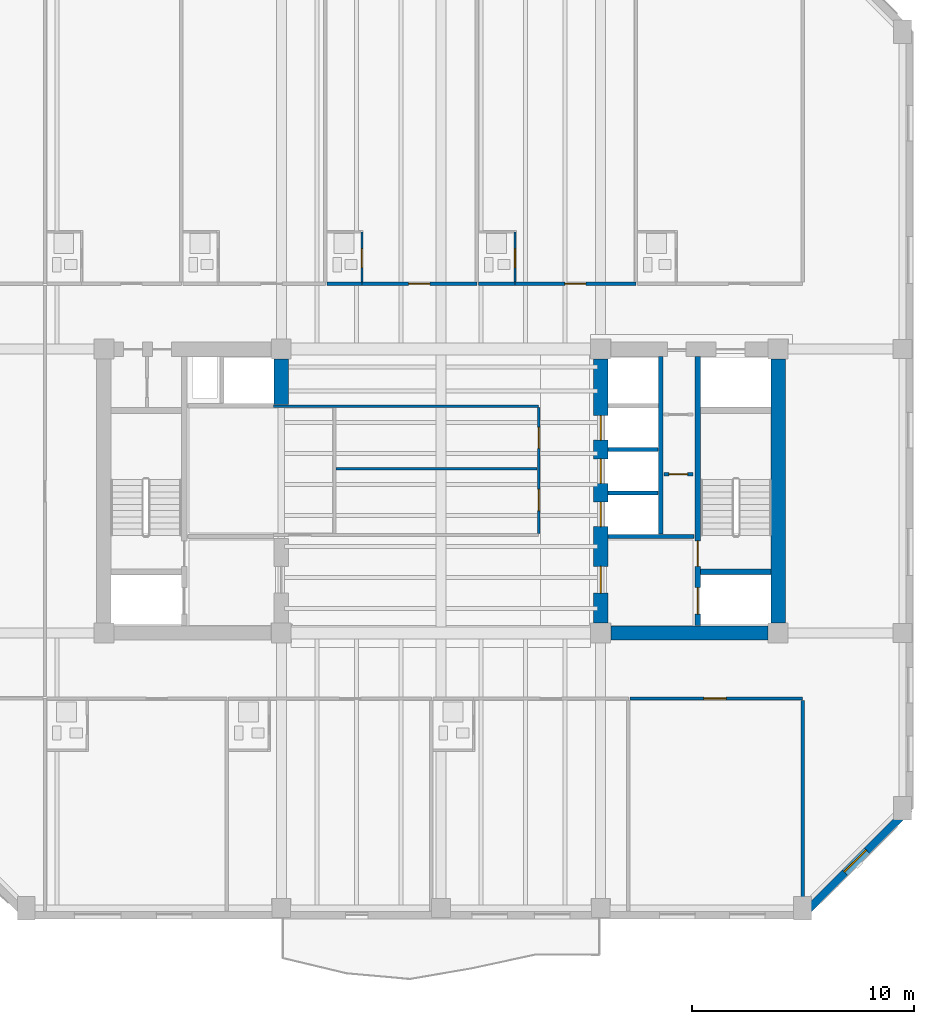
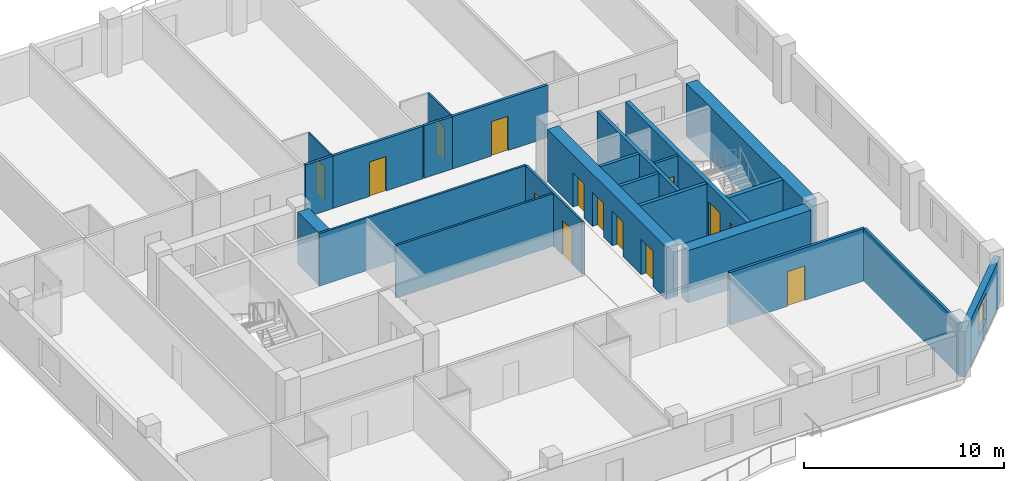
# One storey, part 4 of 11: 23 walls, 14 doors, 1 window, 15 openings.
"""IFC4 building model written with IfcOpenShell, lengths in metres."""

from ifc_helpers import new_model, si_unit, direction, frame, frame_2d, origin, place, context, subcontext, project, spatial, rectangle, extrude, material, layer, layer_set, type_object, element, fill, save


model = new_model("IFC4")

# Units and contexts
model_context = context("Model", 3, precision=1e-05, world=origin(), true_north=direction((0.0, 1.0)))
body_context = subcontext(model_context, "Body", "Model", "MODEL_VIEW")
ifc_project = project(units=[si_unit("LENGTHUNIT", "METRE"), si_unit("AREAUNIT", "SQUARE_METRE"), si_unit("VOLUMEUNIT", "CUBIC_METRE"), si_unit("PLANEANGLEUNIT", "RADIAN"), si_unit("MASSUNIT", "GRAM", prefix="KILO")], contexts=[model_context])

# Site, building, storey
site_placement = place(None, origin())
site = spatial("IfcSite", under=ifc_project, at=site_placement, CompositionType="ELEMENT")
building_placement = place(site_placement, origin())
building = spatial("IfcBuilding", under=site, at=building_placement, Name="Kranthara Brick Stack", CompositionType="ELEMENT")
storey_placement = place(building_placement, frame((0.0, 0.0, 190.300048828125)))
storey = spatial("IfcBuildingStorey", under=building, at=storey_placement, Name="L49", CompositionType="ELEMENT", Elevation=190.300048828125)

# Wall, opening, window
ifc_material_1 = material(Name="Kiln-fired clay brick masonry M15", Category="masonry")
ifc_layer_1 = layer(ifc_material_1, 0.35009765625)
ifc_layer_set_1 = layer_set([ifc_layer_1], Name="Kiln-fired clay brick masonry M15")
wall_type_1 = type_object("IfcWallType", Name="WL-BRK-SPND-350", PredefinedType="STANDARD", material=ifc_layer_set_1)
wall_1_placement = place(storey_placement, frame((49.10498046875, 12.89990234375, 0.0), z_axis=(0.0, 0.0, 1.0), x_axis=(-0.707106781187, -0.707106781187, 0.0)))
wall_1 = element("IfcWall", 1, at=wall_1_placement, inside=storey, type_object=wall_type_1, Name="L49 Exterior Brick Facade Wall SE 1", PredefinedType="STANDARD", context=body_context, shape_type="SweptSolid", body=[
    extrude(rectangle(XDim=6.795166015625, YDim=0.35009765625, at=frame_2d((3.3974609375, 0.0))), origin(), (0.0, 0.0, 1.0), 2.784912109375),
])
opening_1_placement = place(wall_1_placement, frame((2.697998046875, 0.0, 0.75)))
opening_1 = element("IfcOpeningElement", 2, at=opening_1_placement, cuts=wall_1, Name="Opening WN10", PredefinedType="OPENING", context=body_context, shape_type="SweptSolid", body=[
    extrude(rectangle(XDim=1.39990234375, YDim=1.64990234375, at=frame_2d((0.699951171875, 0.824951171875))), frame((0.0, 0.18505859375, 0.0), z_axis=(0.0, -1.0, 0.0), x_axis=(1.0, 0.0, 0.0)), (0.0, 0.0, 1.0), 0.3701171875),
])
ifc_material_2 = material(Name="Double-glazed low-E solar control glass", Category="glass")
window_type = type_object("IfcWindowType", Name="WN-CHM-1400x1750", PartitioningType="SINGLE_PANEL", PredefinedType="WINDOW", material=ifc_material_2)
window_placement = place(opening_1_placement, origin())
window = element("IfcWindow", 3, at=window_placement, inside=storey, type_object=window_type, Name="L49 SE Chamfer Corner Window", OverallHeight=1.64990234375, OverallWidth=1.39990234375, PartitioningType="SINGLE_PANEL", PredefinedType="WINDOW", context=body_context, shape_type="SweptSolid", body=[
    extrude(rectangle(XDim=1.39990234375, YDim=1.64990234375, at=frame_2d((0.699951171875, 0.824951171875))), frame((0.0, -0.010009765625, 0.0), z_axis=(0.0, -1.0, 0.0), x_axis=(1.0, 0.0, 0.0)), (0.0, 0.0, 1.0), 0.06005859375),
])
fill(opening_1, window)

# Wall, openings, doors
ifc_material_3 = material(Name="Concrete C50/60", Category="concrete")
ifc_layer_2 = layer(ifc_material_3, 0.25)
ifc_layer_set_2 = layer_set([ifc_layer_2], Name="Concrete C50/60")
wall_type_2 = type_object("IfcWallType", Name="WL-CORE-250", PredefinedType="SHEAR", material=ifc_layer_set_2)
wall_2_placement = place(storey_placement, frame((39.56494140625, 21.135009765625, 0.0), z_axis=(0.0, 0.0, 1.0), x_axis=(0.0, 1.0, 0.0)))
wall_2 = element("IfcWall", 4, at=wall_2_placement, inside=storey, type_object=wall_type_2, Name="L49 East Core Stair Bearing Spine Wall", PredefinedType="SHEAR", context=body_context, shape_type="SweptSolid", body=[
    extrude(rectangle(XDim=12.1298828125, YDim=0.25, at=frame_2d((6.06494140625, 0.0))), origin(), (0.0, 0.0, 1.0), 3.199951171875),
])
opening_2_placement = place(wall_2_placement, frame((0.514892578125, 0.0, 0.0)))
opening_2 = element("IfcOpeningElement", 5, at=opening_2_placement, cuts=wall_2, Name="Opening LD01", PredefinedType="OPENING", context=body_context, shape_type="SweptSolid", body=[
    extrude(rectangle(XDim=1.199951171875, YDim=2.14990234375, at=frame_2d((0.60009765625, 1.074951171875))), frame((0.0, 0.135009765625, 0.0), z_axis=(0.0, -1.0, 0.0), x_axis=(1.0, 0.0, 0.0)), (0.0, 0.0, 1.0), 0.27001953125),
])
opening_3_placement = place(wall_2_placement, frame((2.6650390625, 0.0, 0.0)))
opening_3 = element("IfcOpeningElement", 6, at=opening_3_placement, cuts=wall_2, Name="Opening D05", PredefinedType="OPENING", context=body_context, shape_type="SweptSolid", body=[
    extrude(rectangle(XDim=1.14990234375, YDim=2.14990234375, at=frame_2d((0.574951171875, 1.074951171875))), frame((0.0, 0.135009765625, 0.0), z_axis=(0.0, -1.0, 0.0), x_axis=(1.0, 0.0, 0.0)), (0.0, 0.0, 1.0), 0.27001953125),
])
ifc_material_4 = material(Name="Stainless steel sliding landing door", Category="steel")
door_type_1 = type_object("IfcDoorType", Name="DR-LD-FF1200", OperationType="DOUBLE_DOOR_SLIDING", PredefinedType="DOOR", material=ifc_material_4)
door_1_placement = place(opening_2_placement, origin())
door_1 = element("IfcDoor", 7, at=door_1_placement, inside=storey, type_object=door_type_1, Name="L49 Firefighting Lift FF-02 Landing Door", OperationType="DOUBLE_DOOR_SLIDING", OverallHeight=2.14990234375, OverallWidth=1.199951171875, PredefinedType="DOOR", context=body_context, shape_type="SweptSolid", body=[
    extrude(rectangle(XDim=1.199951171875, YDim=2.14990234375, at=frame_2d((0.60009765625, 1.074951171875))), frame((0.0, 0.02490234375, 0.0), z_axis=(0.0, -1.0, 0.0), x_axis=(1.0, 0.0, 0.0)), (0.0, 0.0, 1.0), 0.050048828125),
])
fill(opening_2, door_1)
ifc_material_5 = material(Name="Solid-core hardwood timber leaf in steel frame", Category="steel")
door_type_2 = type_object("IfcDoorType", Name="DR-ST-1150", OperationType="NOTDEFINED", PredefinedType="DOOR", material=ifc_material_5)
door_2_placement = place(opening_3_placement, origin())
door_2 = element("IfcDoor", 8, at=door_2_placement, inside=storey, type_object=door_type_2, Name="L49 Exit Stair ST02 Door", OperationType="SINGLE_SWING_LEFT", OverallHeight=2.14990234375, OverallWidth=1.14990234375, PredefinedType="DOOR", context=body_context, shape_type="SweptSolid", body=[
    extrude(rectangle(XDim=1.14990234375, YDim=2.14990234375, at=frame_2d((0.574951171875, 1.074951171875))), frame((0.0, 0.02490234375, 0.0), z_axis=(0.0, -1.0, 0.0), x_axis=(1.0, 0.0, 0.0)), (0.0, 0.0, 1.0), 0.050048828125),
])
fill(opening_3, door_2)

# Walls
wall_3_placement = place(storey_placement, frame((39.68994140625, 23.570068359375, 0.0), z_axis=(0.0, 0.0, 1.0), x_axis=(1.0, 0.0, 0.0)))
element("IfcWall", 9, at=wall_3_placement, inside=storey, type_object=wall_type_2, Name="L49 East Stairwell Bearing Wall EFF", PredefinedType="SHEAR", context=body_context, shape_type="SweptSolid", body=[
    extrude(rectangle(XDim=3.175048828125, YDim=0.25, at=frame_2d((1.58740234375, 0.0))), origin(), (0.0, 0.0, 1.0), 3.199951171875),
])
ifc_material_6 = material(Name="Concrete C60/75", Category="concrete")
ifc_layer_3 = layer(ifc_material_6, 0.64990234375)
ifc_layer_set_3 = layer_set([ifc_layer_3], Name="Concrete C60/75")
wall_type_3 = type_object("IfcWallType", Name="WL-CORE-650", PredefinedType="SHEAR", material=ifc_layer_set_3)
wall_4_placement = place(storey_placement, frame((20.800048828125, 31.10009765625, 0.0), z_axis=(0.0, 0.0, 1.0), x_axis=(0.0, 1.0, 0.0)))
element("IfcWall", 10, at=wall_4_placement, inside=storey, type_object=wall_type_3, Name="L49 West Core High-Rise Lift Wall", PredefinedType="SHEAR", context=body_context, shape_type="SweptSolid", body=[
    extrude(rectangle(XDim=2.044921875, YDim=0.64990234375, at=frame_2d((1.0224609375, 0.0))), origin(), (0.0, 0.0, 1.0), 3.199951171875),
])
wall_5_placement = place(storey_placement, frame((43.199951171875, 21.2548828125, 0.0), z_axis=(0.0, 0.0, 1.0), x_axis=(0.0, 1.0, 0.0)))
element("IfcWall", 11, at=wall_5_placement, inside=storey, type_object=wall_type_3, Name="L49 East Core Shear Wall East", PredefinedType="SHEAR", context=body_context, shape_type="SweptSolid", body=[
    extrude(rectangle(XDim=11.89013671875, YDim=0.64990234375, at=frame_2d((5.945068359375, 0.0))), origin(), (0.0, 0.0, 1.0), 3.199951171875),
])
wall_6_placement = place(storey_placement, frame((35.655029296875, 20.800048828125, 0.0), z_axis=(0.0, 0.0, 1.0), x_axis=(1.0, 0.0, 0.0)))
element("IfcWall", 12, at=wall_6_placement, inside=storey, type_object=wall_type_3, Name="L49 East Core Shear Wall South", PredefinedType="SHEAR", context=body_context, shape_type="SweptSolid", body=[
    extrude(rectangle(XDim=7.090087890625, YDim=0.64990234375, at=frame_2d((3.544921875, 0.0))), origin(), (0.0, 0.0, 1.0), 3.199951171875),
])

# Wall, openings, doors
wall_7_placement = place(storey_placement, frame((35.199951171875, 21.2548828125, 0.0), z_axis=(0.0, 0.0, 1.0), x_axis=(0.0, 1.0, 0.0)))
wall_7 = element("IfcWall", 13, at=wall_7_placement, inside=storey, type_object=wall_type_3, Name="L49 East Core Shear Wall West", PredefinedType="SHEAR", context=body_context, shape_type="SweptSolid", body=[
    extrude(rectangle(XDim=11.89013671875, YDim=0.64990234375, at=frame_2d((5.945068359375, 0.0))), origin(), (0.0, 0.0, 1.0), 3.199951171875),
])
opening_4_placement = place(wall_7_placement, frame((1.344970703125, 0.0, 0.0)))
opening_4 = element("IfcOpeningElement", 14, at=opening_4_placement, cuts=wall_7, Name="Opening D06", PredefinedType="OPENING", context=body_context, shape_type="SweptSolid", body=[
    extrude(rectangle(XDim=1.199951171875, YDim=2.14990234375, at=frame_2d((0.60009765625, 1.074951171875))), frame((0.0, 0.3349609375, 0.0), z_axis=(0.0, -1.0, 0.0), x_axis=(1.0, 0.0, 0.0)), (0.0, 0.0, 1.0), 0.669921875),
])
opening_5_placement = place(wall_7_placement, frame((4.344970703125, 0.0, 0.0)))
opening_5 = element("IfcOpeningElement", 15, at=opening_5_placement, cuts=wall_7, Name="Opening LD02", PredefinedType="OPENING", context=body_context, shape_type="SweptSolid", body=[
    extrude(rectangle(XDim=1.10009765625, YDim=2.10009765625, at=frame_2d((0.550048828125, 1.050048828125))), frame((0.0, 0.3349609375, 0.0), z_axis=(0.0, -1.0, 0.0), x_axis=(1.0, 0.0, 0.0)), (0.0, 0.0, 1.0), 0.669921875),
])
opening_6_placement = place(wall_7_placement, frame((6.294921875, 0.0, 0.0)))
opening_6 = element("IfcOpeningElement", 16, at=opening_6_placement, cuts=wall_7, Name="Opening LD02", PredefinedType="OPENING", context=body_context, shape_type="SweptSolid", body=[
    extrude(rectangle(XDim=1.10009765625, YDim=2.10009765625, at=frame_2d((0.550048828125, 1.050048828125))), frame((0.0, 0.3349609375, 0.0), z_axis=(0.0, -1.0, 0.0), x_axis=(1.0, 0.0, 0.0)), (0.0, 0.0, 1.0), 0.669921875),
])
opening_7_placement = place(wall_7_placement, frame((8.2451171875, 0.0, 0.0)))
opening_7 = element("IfcOpeningElement", 17, at=opening_7_placement, cuts=wall_7, Name="Opening LD02", PredefinedType="OPENING", context=body_context, shape_type="SweptSolid", body=[
    extrude(rectangle(XDim=1.10009765625, YDim=2.10009765625, at=frame_2d((0.550048828125, 1.050048828125))), frame((0.0, 0.3349609375, 0.0), z_axis=(0.0, -1.0, 0.0), x_axis=(1.0, 0.0, 0.0)), (0.0, 0.0, 1.0), 0.669921875),
])
ifc_material_7 = material(Name="Solid-core hardwood timber leaf in steel frame", Category="steel")
door_type_3 = type_object("IfcDoorType", Name="DR-FFL-1200", OperationType="NOTDEFINED", PredefinedType="DOOR", material=ifc_material_7)
door_3_placement = place(opening_4_placement, origin())
door_3 = element("IfcDoor", 18, at=door_3_placement, inside=storey, type_object=door_type_3, Name="L49 East Firefighting Lobby Door", OperationType="SINGLE_SWING_RIGHT", OverallHeight=2.14990234375, OverallWidth=1.199951171875, PredefinedType="DOOR", context=body_context, shape_type="SweptSolid", body=[
    extrude(rectangle(XDim=1.199951171875, YDim=2.14990234375, at=frame_2d((0.60009765625, 1.074951171875))), frame((0.0, 0.02490234375, 0.0), z_axis=(0.0, -1.0, 0.0), x_axis=(1.0, 0.0, 0.0)), (0.0, 0.0, 1.0), 0.050048828125),
])
fill(opening_4, door_3)
ifc_material_8 = material(Name="Stainless steel sliding landing door", Category="steel")
door_type_4 = type_object("IfcDoorType", Name="DR-LD-PL1100", OperationType="DOUBLE_DOOR_SLIDING", PredefinedType="DOOR", material=ifc_material_8)
door_4_placement = place(opening_5_placement, origin())
door_4 = element("IfcDoor", 19, at=door_4_placement, inside=storey, type_object=door_type_4, Name="L49 PL-04 Lift Landing Door", OperationType="DOUBLE_DOOR_SLIDING", OverallHeight=2.10009765625, OverallWidth=1.10009765625, PredefinedType="DOOR", context=body_context, shape_type="SweptSolid", body=[
    extrude(rectangle(XDim=1.10009765625, YDim=2.10009765625, at=frame_2d((0.550048828125, 1.050048828125))), frame((0.0, 0.02490234375, 0.0), z_axis=(0.0, -1.0, 0.0), x_axis=(1.0, 0.0, 0.0)), (0.0, 0.0, 1.0), 0.050048828125),
])
fill(opening_5, door_4)
door_5_placement = place(opening_6_placement, origin())
door_5 = element("IfcDoor", 20, at=door_5_placement, inside=storey, type_object=door_type_4, Name="L49 PL-05 Lift Landing Door", OperationType="DOUBLE_DOOR_SLIDING", OverallHeight=2.10009765625, OverallWidth=1.10009765625, PredefinedType="DOOR", context=body_context, shape_type="SweptSolid", body=[
    extrude(rectangle(XDim=1.10009765625, YDim=2.10009765625, at=frame_2d((0.550048828125, 1.050048828125))), frame((0.0, 0.02490234375, 0.0), z_axis=(0.0, -1.0, 0.0), x_axis=(1.0, 0.0, 0.0)), (0.0, 0.0, 1.0), 0.050048828125),
])
fill(opening_6, door_5)
door_6_placement = place(opening_7_placement, origin())
door_6 = element("IfcDoor", 21, at=door_6_placement, inside=storey, type_object=door_type_4, Name="L49 PL-06 Lift Landing Door", OperationType="DOUBLE_DOOR_SLIDING", OverallHeight=2.10009765625, OverallWidth=1.10009765625, PredefinedType="DOOR", context=body_context, shape_type="SweptSolid", body=[
    extrude(rectangle(XDim=1.10009765625, YDim=2.10009765625, at=frame_2d((0.550048828125, 1.050048828125))), frame((0.0, 0.02490234375, 0.0), z_axis=(0.0, -1.0, 0.0), x_axis=(1.0, 0.0, 0.0)), (0.0, 0.0, 1.0), 0.050048828125),
])
fill(opening_7, door_6)

# Wall, opening, door
ifc_material_9 = material(Name="Moisture-resistant wet-room partition", Category="other")
ifc_layer_4 = layer(ifc_material_9, 0.10009765625)
ifc_layer_set_4 = layer_set([ifc_layer_4], Name="Moisture-resistant wet-room partition")
wall_type_4 = type_object("IfcWallType", Name="WL-PART-100", PredefinedType="PARTITIONING", material=ifc_layer_set_4)
wall_8_placement = place(storey_placement, frame((24.43505859375, 36.6298828125, 0.0), z_axis=(0.0, 0.0, 1.0), x_axis=(0.0, 1.0, 0.0)))
wall_8 = element("IfcWall", 22, at=wall_8_placement, inside=storey, type_object=wall_type_4, Name="L49 Interior Partition 040", PredefinedType="PARTITIONING", context=body_context, shape_type="SweptSolid", body=[
    extrude(rectangle(XDim=2.25, YDim=0.10009765625, at=frame_2d((1.125, 0.0))), origin(), (0.0, 0.0, 1.0), 3.199951171875),
])
opening_8_placement = place(wall_8_placement, frame((0.639892578125, 0.0, 0.0)))
opening_8 = element("IfcOpeningElement", 23, at=opening_8_placement, cuts=wall_8, Name="Opening D17", PredefinedType="OPENING", context=body_context, shape_type="SweptSolid", body=[
    extrude(rectangle(XDim=0.85009765625, YDim=2.050048828125, at=frame_2d((0.425048828125, 1.02490234375))), frame((0.0, 0.06005859375, 0.0), z_axis=(0.0, -1.0, 0.0), x_axis=(1.0, 0.0, 0.0)), (0.0, 0.0, 1.0), 0.1201171875),
])
ifc_material_10 = material(Name="Solid-core hardwood timber leaf in steel frame", Category="steel")
door_type_5 = type_object("IfcDoorType", Name="DR-WET-850", OperationType="NOTDEFINED", PredefinedType="DOOR", material=ifc_material_10)
door_7_placement = place(opening_8_placement, origin())
door_7 = element("IfcDoor", 24, at=door_7_placement, inside=storey, type_object=door_type_5, Name="L49 Key 07 En-Suite Door 18", OperationType="SINGLE_SWING_RIGHT", OverallHeight=2.050048828125, OverallWidth=0.85009765625, PredefinedType="DOOR", context=body_context, shape_type="SweptSolid", body=[
    extrude(rectangle(XDim=0.85009765625, YDim=2.050048828125, at=frame_2d((0.425048828125, 1.02490234375))), frame((0.0, 0.02490234375, 0.0), z_axis=(0.0, -1.0, 0.0), x_axis=(1.0, 0.0, 0.0)), (0.0, 0.0, 1.0), 0.050048828125),
])
fill(opening_8, door_7)

wall_9_placement = place(storey_placement, frame((31.336181640625, 36.6298828125, 0.0), z_axis=(0.0, 0.0, 1.0), x_axis=(0.0, 1.0, 0.0)))
wall_9 = element("IfcWall", 25, at=wall_9_placement, inside=storey, type_object=wall_type_4, Name="L49 Interior Partition 045", PredefinedType="PARTITIONING", context=body_context, shape_type="SweptSolid", body=[
    extrude(rectangle(XDim=2.25, YDim=0.10009765625, at=frame_2d((1.125, 0.0))), origin(), (0.0, 0.0, 1.0), 3.199951171875),
])
opening_9_placement = place(wall_9_placement, frame((0.639892578125, 0.0, 0.0)))
opening_9 = element("IfcOpeningElement", 26, at=opening_9_placement, cuts=wall_9, Name="Opening D17", PredefinedType="OPENING", context=body_context, shape_type="SweptSolid", body=[
    extrude(rectangle(XDim=0.85009765625, YDim=2.050048828125, at=frame_2d((0.425048828125, 1.02490234375))), frame((0.0, 0.06005859375, 0.0), z_axis=(0.0, -1.0, 0.0), x_axis=(1.0, 0.0, 0.0)), (0.0, 0.0, 1.0), 0.1201171875),
])
door_8_placement = place(opening_9_placement, origin())
door_8 = element("IfcDoor", 27, at=door_8_placement, inside=storey, type_object=door_type_5, Name="L49 Key 08 En-Suite Door 20", OperationType="SINGLE_SWING_RIGHT", OverallHeight=2.050048828125, OverallWidth=0.85009765625, PredefinedType="DOOR", context=body_context, shape_type="SweptSolid", body=[
    extrude(rectangle(XDim=0.85009765625, YDim=2.050048828125, at=frame_2d((0.425048828125, 1.02490234375))), frame((0.0, 0.02490234375, 0.0), z_axis=(0.0, -1.0, 0.0), x_axis=(1.0, 0.0, 0.0)), (0.0, 0.0, 1.0), 0.050048828125),
])
fill(opening_9, door_8)

# Wall
ifc_material_11 = material(Name="Acoustic gypsum plasterboard partition", Category="other")
ifc_layer_5 = layer(ifc_material_11, 0.1201171875)
ifc_layer_set_5 = layer_set([ifc_layer_5], Name="Acoustic gypsum plasterboard partition")
wall_type_5 = type_object("IfcWallType", Name="WL-PART-120", PredefinedType="PARTITIONING", material=ifc_layer_set_5)
wall_10_placement = place(storey_placement, frame((20.4599609375, 31.02001953125, 0.0), z_axis=(0.0, 0.0, 1.0), x_axis=(1.0, 0.0, 0.0)))
element("IfcWall", 28, at=wall_10_placement, inside=storey, type_object=wall_type_5, Name="L49 Interior Partition 005", PredefinedType="PARTITIONING", context=body_context, shape_type="SweptSolid", body=[
    extrude(rectangle(XDim=11.93994140625, YDim=0.1201171875, at=frame_2d((5.969970703125, 0.0))), origin(), (0.0, 0.0, 1.0), 3.199951171875),
])

# Wall, openings, doors
wall_11_placement = place(storey_placement, frame((32.39990234375, 25.284912109375, 0.0), z_axis=(0.0, 0.0, 1.0), x_axis=(0.0, 1.0, 0.0)))
wall_11 = element("IfcWall", 29, at=wall_11_placement, inside=storey, type_object=wall_type_5, Name="L49 Interior Partition 006", PredefinedType="PARTITIONING", context=body_context, shape_type="SweptSolid", body=[
    extrude(rectangle(XDim=5.670166015625, YDim=0.1201171875, at=frame_2d((2.8349609375, 0.0))), origin(), (0.0, 0.0, 1.0), 3.199951171875),
])
opening_10_placement = place(wall_11_placement, frame((1.034912109375, 0.0, 0.0)))
opening_10 = element("IfcOpeningElement", 30, at=opening_10_placement, cuts=wall_11, Name="Opening D14", PredefinedType="OPENING", context=body_context, shape_type="SweptSolid", body=[
    extrude(rectangle(XDim=0.949951171875, YDim=2.10009765625, at=frame_2d((0.47509765625, 1.050048828125))), frame((0.0, 0.070068359375, 0.0), z_axis=(0.0, -1.0, 0.0), x_axis=(1.0, 0.0, 0.0)), (0.0, 0.0, 1.0), 0.14013671875),
])
opening_11_placement = place(wall_11_placement, frame((3.8349609375, 0.0, 0.0)))
opening_11 = element("IfcOpeningElement", 31, at=opening_11_placement, cuts=wall_11, Name="Opening D14", PredefinedType="OPENING", context=body_context, shape_type="SweptSolid", body=[
    extrude(rectangle(XDim=0.949951171875, YDim=2.10009765625, at=frame_2d((0.47509765625, 1.050048828125))), frame((0.0, 0.070068359375, 0.0), z_axis=(0.0, -1.0, 0.0), x_axis=(1.0, 0.0, 0.0)), (0.0, 0.0, 1.0), 0.14013671875),
])
ifc_material_12 = material(Name="Solid-core hardwood timber leaf in steel frame", Category="steel")
door_type_6 = type_object("IfcDoorType", Name="DR-INT-950", OperationType="NOTDEFINED", PredefinedType="DOOR", material=ifc_material_12)
door_9_placement = place(opening_10_placement, origin())
door_9 = element("IfcDoor", 32, at=door_9_placement, inside=storey, type_object=door_type_6, Name="L49 Housekeeping Linen Door 05", OperationType="SINGLE_SWING_LEFT", OverallHeight=2.10009765625, OverallWidth=0.949951171875, PredefinedType="DOOR", context=body_context, shape_type="SweptSolid", body=[
    extrude(rectangle(XDim=0.949951171875, YDim=2.10009765625, at=frame_2d((0.47509765625, 1.050048828125))), frame((0.0, 0.02490234375, 0.0), z_axis=(0.0, -1.0, 0.0), x_axis=(1.0, 0.0, 0.0)), (0.0, 0.0, 1.0), 0.050048828125),
])
fill(opening_10, door_9)
door_10_placement = place(opening_11_placement, origin())
door_10 = element("IfcDoor", 33, at=door_10_placement, inside=storey, type_object=door_type_6, Name="L49 Pantry Door 06", OperationType="SINGLE_SWING_RIGHT", OverallHeight=2.10009765625, OverallWidth=0.949951171875, PredefinedType="DOOR", context=body_context, shape_type="SweptSolid", body=[
    extrude(rectangle(XDim=0.949951171875, YDim=2.10009765625, at=frame_2d((0.47509765625, 1.050048828125))), frame((0.0, 0.02490234375, 0.0), z_axis=(0.0, -1.0, 0.0), x_axis=(1.0, 0.0, 0.0)), (0.0, 0.0, 1.0), 0.050048828125),
])
fill(opening_11, door_10)

# Wall
wall_12_placement = place(storey_placement, frame((23.264892578125, 28.199951171875, 0.0), z_axis=(0.0, 0.0, 1.0), x_axis=(1.0, 0.0, 0.0)))
element("IfcWall", 34, at=wall_12_placement, inside=storey, type_object=wall_type_5, Name="L49 Interior Partition 008", PredefinedType="PARTITIONING", context=body_context, shape_type="SweptSolid", body=[
    extrude(rectangle(XDim=9.070068359375, YDim=0.1201171875, at=frame_2d((4.53515625, 0.0))), origin(), (0.0, 0.0, 1.0), 3.199951171875),
])

# Wall, opening, door
ifc_material_13 = material(Name="Fire-rated gypsum board partition", Category="other")
ifc_layer_6 = layer(ifc_material_13, 0.14990234375)
ifc_layer_set_6 = layer_set([ifc_layer_6], Name="Fire-rated gypsum board partition")
wall_type_6 = type_object("IfcWallType", Name="WL-PART-150", PredefinedType="PARTITIONING", material=ifc_layer_set_6)
wall_13_placement = place(storey_placement, frame((38.050048828125, 27.949951171875, 0.0), z_axis=(0.0, 0.0, 1.0), x_axis=(1.0, 0.0, 0.0)))
wall_13 = element("IfcWall", 35, at=wall_13_placement, inside=storey, type_object=wall_type_6, Name="L49 Interior Partition 002", PredefinedType="PARTITIONING", context=body_context, shape_type="SweptSolid", body=[
    extrude(rectangle(XDim=1.300048828125, YDim=0.14990234375, at=frame_2d((0.64990234375, 0.0))), origin(), (0.0, 0.0, 1.0), 3.199951171875),
])
opening_12_placement = place(wall_13_placement, frame((0.219970703125, 0.0, 0.0)))
opening_12 = element("IfcOpeningElement", 36, at=opening_12_placement, cuts=wall_13, Name="Opening D10", PredefinedType="OPENING", context=body_context, shape_type="SweptSolid", body=[
    extrude(rectangle(XDim=0.85009765625, YDim=2.02001953125, at=frame_2d((0.425048828125, 1.010009765625))), frame((0.0, 0.0849609375, 0.0), z_axis=(0.0, -1.0, 0.0), x_axis=(1.0, 0.0, 0.0)), (0.0, 0.0, 1.0), 0.169921875),
])
ifc_material_14 = material(Name="Solid-core hardwood timber leaf in steel frame", Category="steel")
door_type_7 = type_object("IfcDoorType", Name="DR-RSR-850", OperationType="NOTDEFINED", PredefinedType="DOOR", material=ifc_material_14)
door_11_placement = place(opening_12_placement, origin())
door_11 = element("IfcDoor", 37, at=door_11_placement, inside=storey, type_object=door_type_7, Name="L49 Riser Door 1 02", OperationType="SINGLE_SWING_RIGHT", OverallHeight=2.02001953125, OverallWidth=0.85009765625, PredefinedType="DOOR", context=body_context, shape_type="SweptSolid", body=[
    extrude(rectangle(XDim=0.85009765625, YDim=2.02001953125, at=frame_2d((0.425048828125, 1.010009765625))), frame((0.0, 0.02490234375, 0.0), z_axis=(0.0, -1.0, 0.0), x_axis=(1.0, 0.0, 0.0)), (0.0, 0.0, 1.0), 0.050048828125),
])
fill(opening_12, door_11)

wall_14_placement = place(storey_placement, frame((36.52587890625, 17.85009765625, 0.0), z_axis=(0.0, 0.0, 1.0), x_axis=(1.0, 0.0, 0.0)))
wall_14 = element("IfcWall", 38, at=wall_14_placement, inside=storey, type_object=wall_type_6, Name="L49 Interior Partition 025", PredefinedType="PARTITIONING", context=body_context, shape_type="SweptSolid", body=[
    extrude(rectangle(XDim=7.774169921875, YDim=0.14990234375, at=frame_2d((3.88720703125, 0.0))), origin(), (0.0, 0.0, 1.0), 3.199951171875),
])
opening_13_placement = place(wall_14_placement, frame((3.326904296875, 0.0, 0.0)))
opening_13 = element("IfcOpeningElement", 39, at=opening_13_placement, cuts=wall_14, Name="Opening D08", PredefinedType="OPENING", context=body_context, shape_type="SweptSolid", body=[
    extrude(rectangle(XDim=1.0, YDim=2.10009765625, at=frame_2d((0.5, 1.050048828125))), frame((0.0, 0.0849609375, 0.0), z_axis=(0.0, -1.0, 0.0), x_axis=(1.0, 0.0, 0.0)), (0.0, 0.0, 1.0), 0.169921875),
])
ifc_material_15 = material(Name="Solid-core hardwood timber leaf in steel frame", Category="steel")
door_type_8 = type_object("IfcDoorType", Name="DR-FD-1000", OperationType="NOTDEFINED", PredefinedType="DOOR", material=ifc_material_15)
door_12_placement = place(opening_13_placement, origin())
door_12 = element("IfcDoor", 40, at=door_12_placement, inside=storey, type_object=door_type_8, Name="L49 Guest Lounge 13", OperationType="SINGLE_SWING_LEFT", OverallHeight=2.10009765625, OverallWidth=1.0, PredefinedType="DOOR", context=body_context, shape_type="SweptSolid", body=[
    extrude(rectangle(XDim=1.0, YDim=2.10009765625, at=frame_2d((0.5, 1.050048828125))), frame((0.0, 0.02490234375, 0.0), z_axis=(0.0, -1.0, 0.0), x_axis=(1.0, 0.0, 0.0)), (0.0, 0.0, 1.0), 0.050048828125),
])
fill(opening_13, door_12)

# Walls
wall_15_placement = place(storey_placement, frame((44.300048828125, 8.27490234375, 0.0), z_axis=(0.0, 0.0, 1.0), x_axis=(0.0, 1.0, 0.0)))
element("IfcWall", 41, at=wall_15_placement, inside=storey, type_object=wall_type_6, Name="L49 Interior Partition 026", PredefinedType="PARTITIONING", context=body_context, shape_type="SweptSolid", body=[
    extrude(rectangle(XDim=9.4951171875, YDim=0.14990234375, at=frame_2d((4.74755859375, 0.0))), origin(), (0.0, 0.0, 1.0), 3.199951171875),
])
wall_16_placement = place(storey_placement, frame((22.864990234375, 36.550048828125, 0.0), z_axis=(0.0, 0.0, 1.0), x_axis=(1.0, 0.0, 0.0)))
element("IfcWall", 42, at=wall_16_placement, inside=storey, type_object=wall_type_6, Name="L49 Interior Partition 038", PredefinedType="PARTITIONING", context=body_context, shape_type="SweptSolid", body=[
    extrude(rectangle(XDim=1.570068359375, YDim=0.14990234375, at=frame_2d((0.78515625, 0.0))), origin(), (0.0, 0.0, 1.0), 3.199951171875),
])

# Wall, opening, door
wall_17_placement = place(storey_placement, frame((24.43505859375, 36.550048828125, 0.0), z_axis=(0.0, 0.0, 1.0), x_axis=(1.0, 0.0, 0.0)))
wall_17 = element("IfcWall", 43, at=wall_17_placement, inside=storey, type_object=wall_type_6, Name="L49 Interior Partition 039", PredefinedType="PARTITIONING", context=body_context, shape_type="SweptSolid", body=[
    extrude(rectangle(XDim=5.179931640625, YDim=0.14990234375, at=frame_2d((2.58984375, 0.0))), origin(), (0.0, 0.0, 1.0), 3.199951171875),
])
opening_14_placement = place(wall_17_placement, frame((2.110107421875, 0.0, 0.0)))
opening_14 = element("IfcOpeningElement", 44, at=opening_14_placement, cuts=wall_17, Name="Opening D09", PredefinedType="OPENING", context=body_context, shape_type="SweptSolid", body=[
    extrude(rectangle(XDim=0.949951171875, YDim=2.10009765625, at=frame_2d((0.47509765625, 1.050048828125))), frame((0.0, 0.0849609375, 0.0), z_axis=(0.0, -1.0, 0.0), x_axis=(1.0, 0.0, 0.0)), (0.0, 0.0, 1.0), 0.169921875),
])
ifc_material_16 = material(Name="Solid-core hardwood timber leaf in steel frame", Category="steel")
door_type_9 = type_object("IfcDoorType", Name="DR-FD-950", OperationType="NOTDEFINED", PredefinedType="DOOR", material=ifc_material_16)
door_13_placement = place(opening_14_placement, origin())
door_13 = element("IfcDoor", 45, at=door_13_placement, inside=storey, type_object=door_type_9, Name="L49 Key 07 Entry 19", OperationType="SINGLE_SWING_LEFT", OverallHeight=2.10009765625, OverallWidth=0.949951171875, PredefinedType="DOOR", context=body_context, shape_type="SweptSolid", body=[
    extrude(rectangle(XDim=0.949951171875, YDim=2.10009765625, at=frame_2d((0.47509765625, 1.050048828125))), frame((0.0, 0.02490234375, 0.0), z_axis=(0.0, -1.0, 0.0), x_axis=(1.0, 0.0, 0.0)), (0.0, 0.0, 1.0), 0.050048828125),
])
fill(opening_14, door_13)

# Wall
wall_18_placement = place(storey_placement, frame((29.695068359375, 36.550048828125, 0.0), z_axis=(0.0, 0.0, 1.0), x_axis=(1.0, 0.0, 0.0)))
element("IfcWall", 46, at=wall_18_placement, inside=storey, type_object=wall_type_6, Name="L49 Interior Partition 043", PredefinedType="PARTITIONING", context=body_context, shape_type="SweptSolid", body=[
    extrude(rectangle(XDim=1.64111328125, YDim=0.14990234375, at=frame_2d((0.820556640625, 0.0))), origin(), (0.0, 0.0, 1.0), 3.199951171875),
])

# Wall, opening, door
wall_19_placement = place(storey_placement, frame((31.336181640625, 36.550048828125, 0.0), z_axis=(0.0, 0.0, 1.0), x_axis=(1.0, 0.0, 0.0)))
wall_19 = element("IfcWall", 47, at=wall_19_placement, inside=storey, type_object=wall_type_6, Name="L49 Interior Partition 044", PredefinedType="PARTITIONING", context=body_context, shape_type="SweptSolid", body=[
    extrude(rectangle(XDim=5.450927734375, YDim=0.14990234375, at=frame_2d((2.7255859375, 0.0))), origin(), (0.0, 0.0, 1.0), 3.199951171875),
])
opening_15_placement = place(wall_19_placement, frame((2.2451171875, 0.0, 0.0)))
opening_15 = element("IfcOpeningElement", 48, at=opening_15_placement, cuts=wall_19, Name="Opening D09", PredefinedType="OPENING", context=body_context, shape_type="SweptSolid", body=[
    extrude(rectangle(XDim=0.949951171875, YDim=2.10009765625, at=frame_2d((0.47509765625, 1.050048828125))), frame((0.0, 0.0849609375, 0.0), z_axis=(0.0, -1.0, 0.0), x_axis=(1.0, 0.0, 0.0)), (0.0, 0.0, 1.0), 0.169921875),
])
door_14_placement = place(opening_15_placement, origin())
door_14 = element("IfcDoor", 49, at=door_14_placement, inside=storey, type_object=door_type_9, Name="L49 Key 08 Entry 21", OperationType="SINGLE_SWING_LEFT", OverallHeight=2.10009765625, OverallWidth=0.949951171875, PredefinedType="DOOR", context=body_context, shape_type="SweptSolid", body=[
    extrude(rectangle(XDim=0.949951171875, YDim=2.10009765625, at=frame_2d((0.47509765625, 1.050048828125))), frame((0.0, 0.02490234375, 0.0), z_axis=(0.0, -1.0, 0.0), x_axis=(1.0, 0.0, 0.0)), (0.0, 0.0, 1.0), 0.050048828125),
])
fill(opening_15, door_14)

# Walls
ifc_material_17 = material(Name="Gypsum plasterboard on acoustic twin stud", Category="other")
ifc_layer_7 = layer(ifc_material_17, 0.179931640625)
ifc_layer_set_7 = layer_set([ifc_layer_7], Name="Gypsum plasterboard on acoustic twin stud")
wall_type_7 = type_object("IfcWallType", Name="WL-PART-180", PredefinedType="PARTITIONING", material=ifc_layer_set_7)
for number, where, z_axis, x_axis, name in (
    (50, (35.534912109375, 27.1201171875, 0.0), (0.0, 0.0, 1.0), (1.0, 0.0, 0.0), "L49 East Hoistway Wall EH1"),
    (51, (35.534912109375, 29.080078125, 0.0), (0.0, 0.0, 1.0), (1.0, 0.0, 0.0), "L49 East Hoistway Wall EH2"),
):
    element("IfcWall", number, at=place(storey_placement, frame(where, z_axis=z_axis, x_axis=x_axis)), inside=storey, type_object=wall_type_7, Name=name, PredefinedType="PARTITIONING", context=body_context, shape_type="SweptSolid", body=[
        extrude(rectangle(XDim=2.2451171875, YDim=0.179931640625, at=frame_2d((1.12255859375, 0.0))), origin(), (0.0, 0.0, 1.0), 3.199951171875),
    ])
ifc_material_18 = material(Name="Concrete C40/50", Category="concrete")
ifc_layer_8 = layer(ifc_material_18, 0.199951171875)
ifc_layer_set_8 = layer_set([ifc_layer_8], Name="Concrete C40/50")
wall_type_8 = type_object("IfcWallType", Name="WL-PART-200", PredefinedType="SOLIDWALL", material=ifc_layer_set_8)
wall_20_placement = place(storey_placement, frame((35.534912109375, 25.14990234375, 0.0), z_axis=(0.0, 0.0, 1.0), x_axis=(1.0, 0.0, 0.0)))
element("IfcWall", 52, at=wall_20_placement, inside=storey, type_object=wall_type_8, Name="L49 East Core Cross Wall EFL", PredefinedType="SOLIDWALL", context=body_context, shape_type="SweptSolid", body=[
    extrude(rectangle(XDim=3.864990234375, YDim=0.199951171875, at=frame_2d((1.9326171875, 0.0))), origin(), (0.0, 0.0, 1.0), 3.199951171875),
])
wall_21_placement = place(storey_placement, frame((37.89990234375, 25.27001953125, 0.0), z_axis=(0.0, 0.0, 1.0), x_axis=(0.0, 1.0, 0.0)))
element("IfcWall", 53, at=wall_21_placement, inside=storey, type_object=wall_type_8, Name="L49 East Core Cross Wall ESV", PredefinedType="SOLIDWALL", context=body_context, shape_type="SweptSolid", body=[
    extrude(rectangle(XDim=7.994873046875, YDim=0.199951171875, at=frame_2d((3.99755859375, 0.0))), origin(), (0.0, 0.0, 1.0), 3.199951171875),
])

save(model, "model.ifc")
